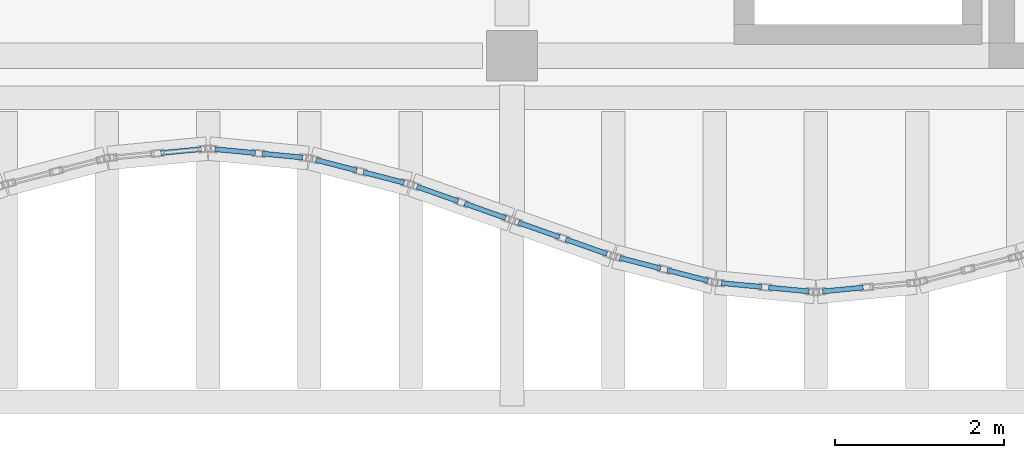
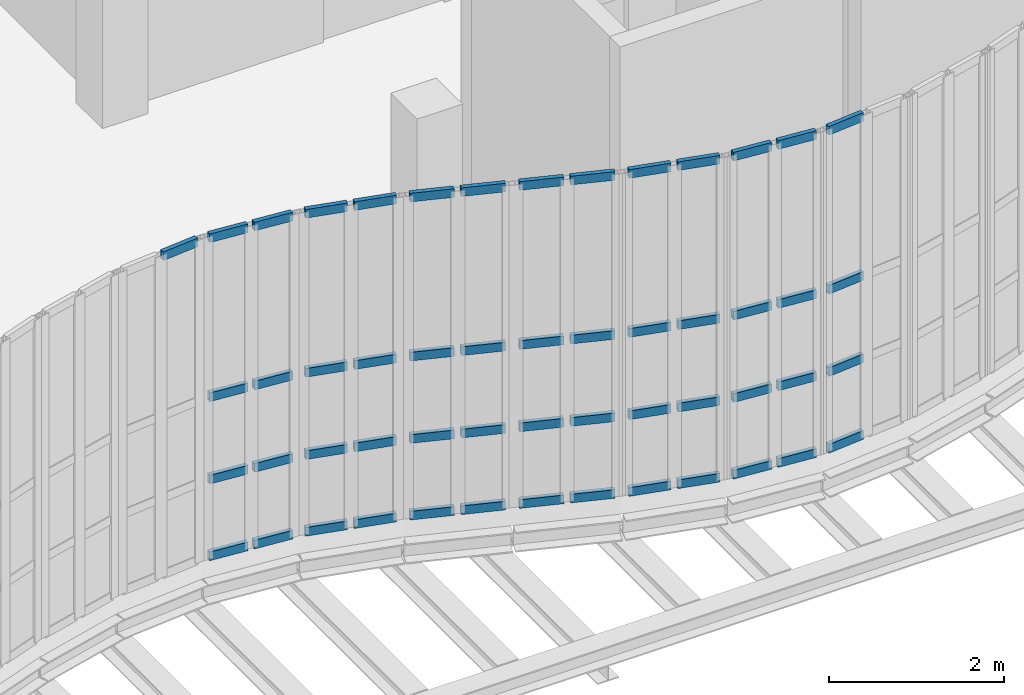
# One storey, part 60 of 105: 53 members, 8 elements without a shape of their own.
"""IFC4 building model written with IfcOpenShell, lengths in metres."""

import ifcopenshell
import ifcopenshell.guid

model = None  # the IFC model being written
_history = None  # IfcOwnerHistory: only IFC2X3 demands one
_inside = {}  # id of a spatial element -> (the spatial element, [elements in it])
_under = {}  # id of a project, library or spatial element -> (it, [spatial elements below it])
_declared = {}  # id of a project -> (the project, [libraries it declares])
_typed = {}  # id of a type object -> (the type object, [elements of that type])
_made_of = {}  # id of a material, layer set ... -> (it, [elements and type objects made of it])


def new_model(schema):
    """Start an empty IFC model of exactly this schema.

    Asked for "IFC4X3", IfcOpenShell would pick the latest addendum, in which some entities
    have other attributes; the version numbers below select the first issue.
    IFC2X3 requires an IfcOwnerHistory on every rooted entity: one is made here for all.
    """
    global model, _history
    if schema == "IFC4X3":
        model = ifcopenshell.file(schema_version=(4, 3, 0, 0))
    else:
        model = ifcopenshell.file(schema=schema)
    _inside.clear()
    _under.clear()
    _declared.clear()
    _typed.clear()
    _made_of.clear()
    _history = None
    if model.schema == "IFC2X3":
        org = make("IfcOrganization", Name="unknown")
        user = make(
            "IfcPersonAndOrganization",
            ThePerson=make("IfcPerson", FamilyName="unknown"),
            TheOrganization=org,
        )
        app = make(
            "IfcApplication",
            ApplicationDeveloper=org,
            Version="unknown",
            ApplicationFullName="unknown",
            ApplicationIdentifier="unknown",
        )
        _history = make(
            "IfcOwnerHistory",
            OwningUser=user,
            OwningApplication=app,
            ChangeAction="ADDED",
            CreationDate=0,
        )
    return model


def make(cls, **values):
    """One entity of the class cls with the attributes given. An attribute that is None is left unset."""
    return model.create_entity(
        cls, **{name: value for name, value in values.items() if value is not None}
    )


def rooted(cls, **values):
    """An entity with a GlobalId (a new one), such as an element, a storey or a relation."""
    return make(cls, GlobalId=ifcopenshell.guid.new(), OwnerHistory=_history, **values)


def si_unit(unit_type, name, prefix=None):
    """IfcSIUnit, for example si_unit("LENGTHUNIT", "METRE", prefix="MILLI")."""
    return make("IfcSIUnit", UnitType=unit_type, Prefix=prefix, Name=name)


def assignment(units):
    """IfcUnitAssignment: the units of a project."""
    return None if units is None else make("IfcUnitAssignment", Units=units)


def point(xyz):
    """IfcCartesianPoint."""
    return None if xyz is None else make("IfcCartesianPoint", Coordinates=xyz)


def direction(xyz):
    """IfcDirection."""
    return None if xyz is None else make("IfcDirection", DirectionRatios=xyz)


def frame(location, z_axis=None, x_axis=None):
    """IfcAxis2Placement3D, a coordinate frame: its origin and axes. An axis left out is left unset."""
    return make(
        "IfcAxis2Placement3D",
        Location=point(location),
        Axis=direction(z_axis),
        RefDirection=direction(x_axis),
    )


def frame_2d(location, x_axis=None):
    """IfcAxis2Placement2D, a coordinate frame in the plane: its origin and x axis."""
    return make(
        "IfcAxis2Placement2D", Location=point(location), RefDirection=direction(x_axis)
    )


def origin():
    """The frame at (0, 0, 0) with its axes left unset."""
    return frame((0.0, 0.0, 0.0))


def origin_2d():
    """The frame at (0, 0) in the plane with its x axis left unset."""
    return frame_2d((0.0, 0.0))


def place(relative_to, where):
    """IfcLocalPlacement: puts the frame where relative to a parent placement (None: the world)."""
    return make(
        "IfcLocalPlacement", PlacementRelTo=relative_to, RelativePlacement=where
    )


def context(
    kind, dimensions, precision=None, world=None, true_north=None, identifier=None
):
    """IfcGeometricRepresentationContext, for example the 3D "Model" context."""
    return make(
        "IfcGeometricRepresentationContext",
        ContextIdentifier=identifier,
        ContextType=kind,
        CoordinateSpaceDimension=dimensions,
        Precision=precision,
        WorldCoordinateSystem=world,
        TrueNorth=true_north,
    )


def subcontext(parent, identifier, kind, view, scale=None):
    """IfcGeometricRepresentationSubContext, for example "Body" below "Model"."""
    return make(
        "IfcGeometricRepresentationSubContext",
        ContextIdentifier=identifier,
        ContextType=kind,
        ParentContext=parent,
        TargetScale=scale,
        TargetView=view,
    )


def project(units=None, contexts=None):
    """IfcProject with its units and contexts."""
    return rooted(
        "IfcProject",
        Name="project",
        RepresentationContexts=contexts,
        UnitsInContext=assignment(units),
    )


def spatial(cls, under=None, at=None, **own):
    """A site, building, storey or space (cls), placed at a placement, below another one or the project."""
    s = rooted(cls, ObjectPlacement=at, **own)
    if under is not None:
        _under.setdefault(under.id(), (under, []))[1].append(s)
    return s


def profile(cls, at=None, kind="AREA", **sizes):
    """A parametric profile (cls). Its sizes go by their IFC names, for example OverallWidth=200.0."""
    return make(cls, ProfileType=kind, Position=at, **sizes)


def hollow_rectangle(**sizes):
    """IfcRectangleHollowProfileDef."""
    return profile("IfcRectangleHollowProfileDef", **sizes)


def extrude(swept, where, along, depth):
    """IfcExtrudedAreaSolid: the profile swept, set in the frame where, extruded along a direction by depth."""
    return make(
        "IfcExtrudedAreaSolid",
        SweptArea=swept,
        Position=where,
        ExtrudedDirection=direction(along),
        Depth=depth,
    )


def shape(context_of_items, identifier, shape_type, items):
    """IfcShapeRepresentation: the items that make up one representation, for example the "Body"."""
    return make(
        "IfcShapeRepresentation",
        ContextOfItems=context_of_items,
        RepresentationIdentifier=identifier,
        RepresentationType=shape_type,
        Items=items,
    )


def material(Name=None, Category=None):
    """IfcMaterial."""
    return make("IfcMaterial", Name=Name, Category=Category)


def layer(
    of_material, thickness, ventilated=None, Name=None, Category=None, Priority=None
):
    """IfcMaterialLayer: one layer of a wall or slab, of a material (None: an air gap)."""
    return make(
        "IfcMaterialLayer",
        Material=of_material,
        LayerThickness=thickness,
        IsVentilated=ventilated,
        Name=Name,
        Category=Category,
        Priority=Priority,
    )


def layer_set(layers, Name=None):
    """IfcMaterialLayerSet."""
    return make("IfcMaterialLayerSet", MaterialLayers=layers, LayerSetName=Name)


def material_profile(
    of_material, cross_section, Name=None, Category=None, Priority=None
):
    """IfcMaterialProfile: a cross section and its material."""
    return make(
        "IfcMaterialProfile",
        Name=Name,
        Material=of_material,
        Profile=cross_section,
        Priority=Priority,
        Category=Category,
    )


def profile_set(profiles, Name=None, composite=None):
    """IfcMaterialProfileSet."""
    return make(
        "IfcMaterialProfileSet",
        Name=Name,
        MaterialProfiles=profiles,
        CompositeProfile=composite,
    )


def made_of(thing, what):
    """Note that an element or type object is made of a material, layer set ...; save() writes the relation."""
    if what is not None:
        _made_of.setdefault(what.id(), (what, []))[1].append(thing)
    return thing


def type_object(cls, material=None, **own):
    """A type object (cls), such as IfcWallType, which elements share."""
    return made_of(rooted(cls, **own), material)


def element(
    cls,
    number,
    at=None,
    inside=None,
    cuts=None,
    type_object=None,
    material=None,
    context=None,
    identifier="Body",
    shape_type=None,
    held_by="IfcProductDefinitionShape",
    body=None,
    shapes=None,
    **own,
):
    """One element of the class cls, such as IfcWall. Its Tag is "e" and its number.

    at: its placement. inside: the storey or other place that contains it. cuts: it is an
    opening in that element (IfcRelVoidsElement). A single representation is given by context,
    identifier, shape_type and body (its items); several are given by shapes. held_by: the class
    of the entity that holds the representations. save() writes the other relations.
    """
    e = rooted(cls, Tag="e%d" % number, ObjectPlacement=at, **own)
    if body is not None:
        shapes = [shape(context, identifier, shape_type, body)]
    if shapes is not None:
        e.Representation = make(held_by, Representations=shapes)
    if inside is not None:
        _inside.setdefault(inside.id(), (inside, []))[1].append(e)
    if cuts is not None:
        rooted(
            "IfcRelVoidsElement", RelatingBuildingElement=cuts, RelatedOpeningElement=e
        )
    if type_object is not None:
        _typed.setdefault(type_object.id(), (type_object, []))[1].append(e)
    return made_of(e, material)


def aggregate(whole, parts):
    """IfcRelAggregates: a whole, such as a stair, and the parts it consists of."""
    return rooted("IfcRelAggregates", RelatingObject=whole, RelatedObjects=parts)


def save(model, path):
    """Write the relations noted so far, then the file.

    IfcRelAggregates (storeys below a building ...), IfcRelContainedInSpatialStructure (elements
    in a storey), IfcRelDefinesByType, IfcRelAssociatesMaterial and IfcRelDeclares: one each for
    every whole, place, type object, material and project.
    """
    for whole, parts in _under.values():
        aggregate(whole, parts)
    for where, things in _inside.values():
        rooted(
            "IfcRelContainedInSpatialStructure",
            RelatedElements=things,
            RelatingStructure=where,
        )
    for kind, things in _typed.values():
        rooted("IfcRelDefinesByType", RelatedObjects=things, RelatingType=kind)
    for what, things in _made_of.values():
        rooted("IfcRelAssociatesMaterial", RelatedObjects=things, RelatingMaterial=what)
    for by, libraries in _declared.values():
        rooted("IfcRelDeclares", RelatingContext=by, RelatedDefinitions=libraries)
    model.write(path)


model = new_model("IFC4")

# Units and contexts
model_context = context("Model", 3, precision=1e-05, world=origin(), true_north=direction((0.0, 1.0)))
body_context = subcontext(model_context, "Body", "Model", "MODEL_VIEW")
ifc_project = project(units=[si_unit("LENGTHUNIT", "METRE"), si_unit("AREAUNIT", "SQUARE_METRE"), si_unit("VOLUMEUNIT", "CUBIC_METRE"), si_unit("PLANEANGLEUNIT", "RADIAN"), si_unit("MASSUNIT", "GRAM", prefix="KILO"), si_unit("THERMODYNAMICTEMPERATUREUNIT", "KELVIN"), si_unit("POWERUNIT", "WATT")], contexts=[model_context])

# Site, building, storey
site_placement = place(None, origin())
site = spatial("IfcSite", under=ifc_project, at=site_placement, CompositionType="ELEMENT")
building_placement = place(site_placement, origin())
building = spatial("IfcBuilding", under=site, at=building_placement, Name="Kaldorven Railside Theatre", CompositionType="ELEMENT")
storey_placement = place(building_placement, frame((0.0, 0.0, 9.89990234375)))
storey = spatial("IfcBuildingStorey", under=building, at=storey_placement, Name="L02", CompositionType="ELEMENT", Elevation=9.89990234375)

# Curtain wall, member
ifc_material_1 = material(Name="Low-E laminated solar-control glass", Category="glass")
ifc_layer_1 = layer(ifc_material_1, 0.159912109375, Name="Low-E laminated solar-control glass")
ifc_layer_set_1 = layer_set([ifc_layer_1], Name="Low-E laminated solar-control glass")
curtain_wall_type_1 = type_object("IfcCurtainWallType", Name="CWT-03", PredefinedType="USERDEFINED", material=ifc_layer_set_1)
curtain_wall_1_placement = place(storey_placement, origin())
curtain_wall_1 = element("IfcCurtainWall", 1, at=curtain_wall_1_placement, inside=storey, type_object=curtain_wall_type_1, Name="Sinusoidal Fluted Curtain Wall CW-L02-S51", ObjectType="FLUTED GLAZING", PredefinedType="USERDEFINED")
ifc_material_2 = material(Name="Anodised bronze aluminium", Category="aluminium")
ifc_material_profile = material_profile(ifc_material_2, hollow_rectangle(XDim=0.06005859375, YDim=0.1201171875, WallThickness=0.0048828125, at=origin_2d()), Name="RHS 120x60x5")
ifc_profile_set = profile_set([ifc_material_profile], Name="Anodised bronze aluminium")
member_type = type_object("IfcMemberType", Name="CWT-120", PredefinedType="USERDEFINED", material=ifc_profile_set)
member_1_placement = place(storey_placement, frame((97.43994140625, 18.046875, 4.47021484375), z_axis=(0.995515910823, 0.094594245591, 0.0), x_axis=(-0.094594245591, 0.995515910823, 0.0)))
member_1 = element("IfcMember", 2, at=member_1_placement, type_object=member_type, Name="CW-L02-S51 transom 2.4", ObjectType="TRANSOM", PredefinedType="USERDEFINED", context=body_context, shape_type="SweptSolid", body=[
    extrude(hollow_rectangle(XDim=0.06005859375, YDim=0.1201171875, WallThickness=0.0048828125, at=origin_2d()), origin(), (0.0, 0.0, 1.0), 0.482666015625),
])
aggregate(curtain_wall_1, [member_1])

# Curtain wall, members
curtain_wall_2_placement = place(storey_placement, origin())
curtain_wall_2 = element("IfcCurtainWall", 3, at=curtain_wall_2_placement, inside=storey, type_object=curtain_wall_type_1, Name="Sinusoidal Fluted Curtain Wall CW-L02-S52", ObjectType="FLUTED GLAZING", PredefinedType="USERDEFINED")
member_2_placement = place(storey_placement, frame((98.07958984375, 18.092529296875, 0.030029296875), z_axis=(0.995515910823, -0.094594245591, 0.0), x_axis=(0.094594245591, 0.995515910823, 0.0)))
member_2 = element("IfcMember", 4, at=member_2_placement, type_object=member_type, Name="CW-L02-S52 transom 1.1", ObjectType="TRANSOM", PredefinedType="USERDEFINED", context=body_context, shape_type="SweptSolid", body=[
    extrude(hollow_rectangle(XDim=0.06005859375, YDim=0.1201171875, WallThickness=0.0048828125, at=origin_2d()), origin(), (0.0, 0.0, 1.0), 0.482666015625),
])
member_3_placement = place(storey_placement, frame((98.07958984375, 18.092529296875, 1.10009765625), z_axis=(0.995515910823, -0.094594245591, 0.0), x_axis=(0.094594245591, 0.995515910823, 0.0)))
member_3 = element("IfcMember", 5, at=member_3_placement, type_object=member_type, Name="CW-L02-S52 transom 1.2", ObjectType="TRANSOM", PredefinedType="USERDEFINED", context=body_context, shape_type="SweptSolid", body=[
    extrude(hollow_rectangle(XDim=0.06005859375, YDim=0.1201171875, WallThickness=0.0048828125, at=origin_2d()), origin(), (0.0, 0.0, 1.0), 0.482666015625),
])
member_4_placement = place(storey_placement, frame((98.07958984375, 18.092529296875, 2.25), z_axis=(0.995515910823, -0.094594245591, 0.0), x_axis=(0.094594245591, 0.995515910823, 0.0)))
member_4 = element("IfcMember", 6, at=member_4_placement, type_object=member_type, Name="CW-L02-S52 transom 1.3", ObjectType="TRANSOM", PredefinedType="USERDEFINED", context=body_context, shape_type="SweptSolid", body=[
    extrude(hollow_rectangle(XDim=0.06005859375, YDim=0.1201171875, WallThickness=0.0048828125, at=origin_2d()), origin(), (0.0, 0.0, 1.0), 0.482666015625),
])
member_5_placement = place(storey_placement, frame((98.07958984375, 18.092529296875, 4.47021484375), z_axis=(0.995515910823, -0.094594245591, 0.0), x_axis=(0.094594245591, 0.995515910823, 0.0)))
member_5 = element("IfcMember", 7, at=member_5_placement, type_object=member_type, Name="CW-L02-S52 transom 1.4", ObjectType="TRANSOM", PredefinedType="USERDEFINED", context=body_context, shape_type="SweptSolid", body=[
    extrude(hollow_rectangle(XDim=0.06005859375, YDim=0.1201171875, WallThickness=0.0048828125, at=origin_2d()), origin(), (0.0, 0.0, 1.0), 0.482666015625),
])
member_6_placement = place(storey_placement, frame((98.639892578125, 18.039306640625, 0.030029296875), z_axis=(0.995515910823, -0.094594245591, 0.0), x_axis=(0.094594245591, 0.995515910823, 0.0)))
member_6 = element("IfcMember", 8, at=member_6_placement, type_object=member_type, Name="CW-L02-S52 transom 2.1", ObjectType="TRANSOM", PredefinedType="USERDEFINED", context=body_context, shape_type="SweptSolid", body=[
    extrude(hollow_rectangle(XDim=0.06005859375, YDim=0.1201171875, WallThickness=0.0048828125, at=origin_2d()), origin(), (0.0, 0.0, 1.0), 0.482666015625),
])
member_7_placement = place(storey_placement, frame((98.639892578125, 18.039306640625, 1.10009765625), z_axis=(0.995515910823, -0.094594245591, 0.0), x_axis=(0.094594245591, 0.995515910823, 0.0)))
member_7 = element("IfcMember", 9, at=member_7_placement, type_object=member_type, Name="CW-L02-S52 transom 2.2", ObjectType="TRANSOM", PredefinedType="USERDEFINED", context=body_context, shape_type="SweptSolid", body=[
    extrude(hollow_rectangle(XDim=0.06005859375, YDim=0.1201171875, WallThickness=0.0048828125, at=origin_2d()), origin(), (0.0, 0.0, 1.0), 0.482666015625),
])
member_8_placement = place(storey_placement, frame((98.639892578125, 18.039306640625, 2.25), z_axis=(0.995515910823, -0.094594245591, 0.0), x_axis=(0.094594245591, 0.995515910823, 0.0)))
member_8 = element("IfcMember", 10, at=member_8_placement, type_object=member_type, Name="CW-L02-S52 transom 2.3", ObjectType="TRANSOM", PredefinedType="USERDEFINED", context=body_context, shape_type="SweptSolid", body=[
    extrude(hollow_rectangle(XDim=0.06005859375, YDim=0.1201171875, WallThickness=0.0048828125, at=origin_2d()), origin(), (0.0, 0.0, 1.0), 0.482666015625),
])
member_9_placement = place(storey_placement, frame((98.639892578125, 18.039306640625, 4.47021484375), z_axis=(0.995515910823, -0.094594245591, 0.0), x_axis=(0.094594245591, 0.995515910823, 0.0)))
member_9 = element("IfcMember", 11, at=member_9_placement, type_object=member_type, Name="CW-L02-S52 transom 2.4", ObjectType="TRANSOM", PredefinedType="USERDEFINED", context=body_context, shape_type="SweptSolid", body=[
    extrude(hollow_rectangle(XDim=0.06005859375, YDim=0.1201171875, WallThickness=0.0048828125, at=origin_2d()), origin(), (0.0, 0.0, 1.0), 0.482666015625),
])
aggregate(curtain_wall_2, [member_2, member_3, member_4, member_5, member_6, member_7, member_8, member_9])

ifc_layer_2 = layer(ifc_material_1, 0.159912109375, Name="Low-E laminated solar-control glass")
ifc_layer_set_2 = layer_set([ifc_layer_2], Name="Low-E laminated solar-control glass")
curtain_wall_type_2 = type_object("IfcCurtainWallType", Name="CWT-02", PredefinedType="USERDEFINED", material=ifc_layer_set_2)
curtain_wall_3_placement = place(storey_placement, origin())
curtain_wall_3 = element("IfcCurtainWall", 12, at=curtain_wall_3_placement, inside=storey, type_object=curtain_wall_type_2, Name="Sinusoidal Fluted Curtain Wall CW-L02-S53", ObjectType="FLUTED GLAZING", PredefinedType="USERDEFINED")
member_10_placement = place(storey_placement, frame((99.27734375, 17.966064453125, 0.030029296875), z_axis=(0.967979318949, -0.251029954561, 0.0), x_axis=(0.251029954561, 0.967979318949, 0.0)))
member_10 = element("IfcMember", 13, at=member_10_placement, type_object=member_type, Name="CW-L02-S53 transom 1.1", ObjectType="TRANSOM", PredefinedType="USERDEFINED", context=body_context, shape_type="SweptSolid", body=[
    extrude(hollow_rectangle(XDim=0.06005859375, YDim=0.1201171875, WallThickness=0.0048828125, at=origin_2d()), origin(), (0.0, 0.0, 1.0), 0.5),
])
member_11_placement = place(storey_placement, frame((99.27734375, 17.966064453125, 1.10009765625), z_axis=(0.967979318949, -0.251029954561, 0.0), x_axis=(0.251029954561, 0.967979318949, 0.0)))
member_11 = element("IfcMember", 14, at=member_11_placement, type_object=member_type, Name="CW-L02-S53 transom 1.2", ObjectType="TRANSOM", PredefinedType="USERDEFINED", context=body_context, shape_type="SweptSolid", body=[
    extrude(hollow_rectangle(XDim=0.06005859375, YDim=0.1201171875, WallThickness=0.0048828125, at=origin_2d()), origin(), (0.0, 0.0, 1.0), 0.5),
])
member_12_placement = place(storey_placement, frame((99.27734375, 17.966064453125, 2.25), z_axis=(0.967979318949, -0.251029954561, 0.0), x_axis=(0.251029954561, 0.967979318949, 0.0)))
member_12 = element("IfcMember", 15, at=member_12_placement, type_object=member_type, Name="CW-L02-S53 transom 1.3", ObjectType="TRANSOM", PredefinedType="USERDEFINED", context=body_context, shape_type="SweptSolid", body=[
    extrude(hollow_rectangle(XDim=0.06005859375, YDim=0.1201171875, WallThickness=0.0048828125, at=origin_2d()), origin(), (0.0, 0.0, 1.0), 0.5),
])
member_13_placement = place(storey_placement, frame((99.27734375, 17.966064453125, 4.47021484375), z_axis=(0.967979318949, -0.251029954561, 0.0), x_axis=(0.251029954561, 0.967979318949, 0.0)))
member_13 = element("IfcMember", 16, at=member_13_placement, type_object=member_type, Name="CW-L02-S53 transom 1.4", ObjectType="TRANSOM", PredefinedType="USERDEFINED", context=body_context, shape_type="SweptSolid", body=[
    extrude(hollow_rectangle(XDim=0.06005859375, YDim=0.1201171875, WallThickness=0.0048828125, at=origin_2d()), origin(), (0.0, 0.0, 1.0), 0.5),
])
member_14_placement = place(storey_placement, frame((99.838623046875, 17.820556640625, 0.030029296875), z_axis=(0.967979318949, -0.251029954561, 0.0), x_axis=(0.251029954561, 0.967979318949, 0.0)))
member_14 = element("IfcMember", 17, at=member_14_placement, type_object=member_type, Name="CW-L02-S53 transom 2.1", ObjectType="TRANSOM", PredefinedType="USERDEFINED", context=body_context, shape_type="SweptSolid", body=[
    extrude(hollow_rectangle(XDim=0.06005859375, YDim=0.1201171875, WallThickness=0.0048828125, at=origin_2d()), origin(), (0.0, 0.0, 1.0), 0.5),
])
member_15_placement = place(storey_placement, frame((99.838623046875, 17.820556640625, 1.10009765625), z_axis=(0.967979318949, -0.251029954561, 0.0), x_axis=(0.251029954561, 0.967979318949, 0.0)))
member_15 = element("IfcMember", 18, at=member_15_placement, type_object=member_type, Name="CW-L02-S53 transom 2.2", ObjectType="TRANSOM", PredefinedType="USERDEFINED", context=body_context, shape_type="SweptSolid", body=[
    extrude(hollow_rectangle(XDim=0.06005859375, YDim=0.1201171875, WallThickness=0.0048828125, at=origin_2d()), origin(), (0.0, 0.0, 1.0), 0.5),
])
member_16_placement = place(storey_placement, frame((99.838623046875, 17.820556640625, 2.25), z_axis=(0.967979318949, -0.251029954561, 0.0), x_axis=(0.251029954561, 0.967979318949, 0.0)))
member_16 = element("IfcMember", 19, at=member_16_placement, type_object=member_type, Name="CW-L02-S53 transom 2.3", ObjectType="TRANSOM", PredefinedType="USERDEFINED", context=body_context, shape_type="SweptSolid", body=[
    extrude(hollow_rectangle(XDim=0.06005859375, YDim=0.1201171875, WallThickness=0.0048828125, at=origin_2d()), origin(), (0.0, 0.0, 1.0), 0.5),
])
member_17_placement = place(storey_placement, frame((99.838623046875, 17.820556640625, 4.47021484375), z_axis=(0.967979318949, -0.251029954561, 0.0), x_axis=(0.251029954561, 0.967979318949, 0.0)))
member_17 = element("IfcMember", 20, at=member_17_placement, type_object=member_type, Name="CW-L02-S53 transom 2.4", ObjectType="TRANSOM", PredefinedType="USERDEFINED", context=body_context, shape_type="SweptSolid", body=[
    extrude(hollow_rectangle(XDim=0.06005859375, YDim=0.1201171875, WallThickness=0.0048828125, at=origin_2d()), origin(), (0.0, 0.0, 1.0), 0.5),
])
aggregate(curtain_wall_3, [member_10, member_11, member_12, member_13, member_14, member_15, member_16, member_17])

ifc_layer_3 = layer(ifc_material_1, 0.159912109375, Name="Low-E laminated solar-control glass")
ifc_layer_set_3 = layer_set([ifc_layer_3], Name="Low-E laminated solar-control glass")
curtain_wall_type_3 = type_object("IfcCurtainWallType", Name="CWT-01", PredefinedType="USERDEFINED", material=ifc_layer_set_3)
curtain_wall_4_placement = place(storey_placement, origin())
curtain_wall_4 = element("IfcCurtainWall", 21, at=curtain_wall_4_placement, inside=storey, type_object=curtain_wall_type_3, Name="Sinusoidal Fluted Curtain Wall CW-L02-S54", ObjectType="FLUTED GLAZING", PredefinedType="USERDEFINED")
member_18_placement = place(storey_placement, frame((100.475341796875, 17.648193359375, 0.030029296875), z_axis=(0.942710841688, -0.333610954502, 0.0), x_axis=(0.333610954502, 0.942710841688, 0.0)))
member_18 = element("IfcMember", 22, at=member_18_placement, type_object=member_type, Name="CW-L02-S54 transom 1.1", ObjectType="TRANSOM", PredefinedType="USERDEFINED", context=body_context, shape_type="SweptSolid", body=[
    extrude(hollow_rectangle(XDim=0.06005859375, YDim=0.1201171875, WallThickness=0.0048828125, at=origin_2d()), origin(), (0.0, 0.0, 1.0), 0.5166015625),
])
member_19_placement = place(storey_placement, frame((100.475341796875, 17.648193359375, 1.10009765625), z_axis=(0.942710841688, -0.333610954502, 0.0), x_axis=(0.333610954502, 0.942710841688, 0.0)))
member_19 = element("IfcMember", 23, at=member_19_placement, type_object=member_type, Name="CW-L02-S54 transom 1.2", ObjectType="TRANSOM", PredefinedType="USERDEFINED", context=body_context, shape_type="SweptSolid", body=[
    extrude(hollow_rectangle(XDim=0.06005859375, YDim=0.1201171875, WallThickness=0.0048828125, at=origin_2d()), origin(), (0.0, 0.0, 1.0), 0.5166015625),
])
member_20_placement = place(storey_placement, frame((100.475341796875, 17.648193359375, 2.25), z_axis=(0.942710841688, -0.333610954502, 0.0), x_axis=(0.333610954502, 0.942710841688, 0.0)))
member_20 = element("IfcMember", 24, at=member_20_placement, type_object=member_type, Name="CW-L02-S54 transom 1.3", ObjectType="TRANSOM", PredefinedType="USERDEFINED", context=body_context, shape_type="SweptSolid", body=[
    extrude(hollow_rectangle(XDim=0.06005859375, YDim=0.1201171875, WallThickness=0.0048828125, at=origin_2d()), origin(), (0.0, 0.0, 1.0), 0.5166015625),
])
member_21_placement = place(storey_placement, frame((100.475341796875, 17.648193359375, 4.47021484375), z_axis=(0.942710841688, -0.333610954502, 0.0), x_axis=(0.333610954502, 0.942710841688, 0.0)))
member_21 = element("IfcMember", 25, at=member_21_placement, type_object=member_type, Name="CW-L02-S54 transom 1.4", ObjectType="TRANSOM", PredefinedType="USERDEFINED", context=body_context, shape_type="SweptSolid", body=[
    extrude(hollow_rectangle(XDim=0.06005859375, YDim=0.1201171875, WallThickness=0.0048828125, at=origin_2d()), origin(), (0.0, 0.0, 1.0), 0.5166015625),
])
member_22_placement = place(storey_placement, frame((101.03759765625, 17.44921875, 0.030029296875), z_axis=(0.94256215944, -0.334030800363, 0.0), x_axis=(0.334030800363, 0.94256215944, 0.0)))
member_22 = element("IfcMember", 26, at=member_22_placement, type_object=member_type, Name="CW-L02-S54 transom 2.1", ObjectType="TRANSOM", PredefinedType="USERDEFINED", context=body_context, shape_type="SweptSolid", body=[
    extrude(hollow_rectangle(XDim=0.06005859375, YDim=0.1201171875, WallThickness=0.0048828125, at=origin_2d()), origin(), (0.0, 0.0, 1.0), 0.516845703125),
])
member_23_placement = place(storey_placement, frame((101.03759765625, 17.44921875, 1.10009765625), z_axis=(0.94256215944, -0.334030800363, 0.0), x_axis=(0.334030800363, 0.94256215944, 0.0)))
member_23 = element("IfcMember", 27, at=member_23_placement, type_object=member_type, Name="CW-L02-S54 transom 2.2", ObjectType="TRANSOM", PredefinedType="USERDEFINED", context=body_context, shape_type="SweptSolid", body=[
    extrude(hollow_rectangle(XDim=0.06005859375, YDim=0.1201171875, WallThickness=0.0048828125, at=origin_2d()), origin(), (0.0, 0.0, 1.0), 0.516845703125),
])
member_24_placement = place(storey_placement, frame((101.03759765625, 17.44921875, 2.25), z_axis=(0.94256215944, -0.334030800363, 0.0), x_axis=(0.334030800363, 0.94256215944, 0.0)))
member_24 = element("IfcMember", 28, at=member_24_placement, type_object=member_type, Name="CW-L02-S54 transom 2.3", ObjectType="TRANSOM", PredefinedType="USERDEFINED", context=body_context, shape_type="SweptSolid", body=[
    extrude(hollow_rectangle(XDim=0.06005859375, YDim=0.1201171875, WallThickness=0.0048828125, at=origin_2d()), origin(), (0.0, 0.0, 1.0), 0.516845703125),
])
member_25_placement = place(storey_placement, frame((101.03759765625, 17.44921875, 4.47021484375), z_axis=(0.94256215944, -0.334030800363, 0.0), x_axis=(0.334030800363, 0.94256215944, 0.0)))
member_25 = element("IfcMember", 29, at=member_25_placement, type_object=member_type, Name="CW-L02-S54 transom 2.4", ObjectType="TRANSOM", PredefinedType="USERDEFINED", context=body_context, shape_type="SweptSolid", body=[
    extrude(hollow_rectangle(XDim=0.06005859375, YDim=0.1201171875, WallThickness=0.0048828125, at=origin_2d()), origin(), (0.0, 0.0, 1.0), 0.516845703125),
])
aggregate(curtain_wall_4, [member_18, member_19, member_20, member_21, member_22, member_23, member_24, member_25])

curtain_wall_5_placement = place(storey_placement, origin())
curtain_wall_5 = element("IfcCurtainWall", 30, at=curtain_wall_5_placement, inside=storey, type_object=curtain_wall_type_3, Name="Sinusoidal Fluted Curtain Wall CW-L02-S55", ObjectType="FLUTED GLAZING", PredefinedType="USERDEFINED")
member_26_placement = place(storey_placement, frame((101.67529296875, 17.223388671875, 0.030029296875), z_axis=(0.94256215944, -0.334030800363, 0.0), x_axis=(0.334030800363, 0.94256215944, 0.0)))
member_26 = element("IfcMember", 31, at=member_26_placement, type_object=member_type, Name="CW-L02-S55 transom 1.1", ObjectType="TRANSOM", PredefinedType="USERDEFINED", context=body_context, shape_type="SweptSolid", body=[
    extrude(hollow_rectangle(XDim=0.06005859375, YDim=0.1201171875, WallThickness=0.0048828125, at=origin_2d()), origin(), (0.0, 0.0, 1.0), 0.516845703125),
])
member_27_placement = place(storey_placement, frame((101.67529296875, 17.223388671875, 1.10009765625), z_axis=(0.94256215944, -0.334030800363, 0.0), x_axis=(0.334030800363, 0.94256215944, 0.0)))
member_27 = element("IfcMember", 32, at=member_27_placement, type_object=member_type, Name="CW-L02-S55 transom 1.2", ObjectType="TRANSOM", PredefinedType="USERDEFINED", context=body_context, shape_type="SweptSolid", body=[
    extrude(hollow_rectangle(XDim=0.06005859375, YDim=0.1201171875, WallThickness=0.0048828125, at=origin_2d()), origin(), (0.0, 0.0, 1.0), 0.516845703125),
])
member_28_placement = place(storey_placement, frame((101.67529296875, 17.223388671875, 2.25), z_axis=(0.94256215944, -0.334030800363, 0.0), x_axis=(0.334030800363, 0.94256215944, 0.0)))
member_28 = element("IfcMember", 33, at=member_28_placement, type_object=member_type, Name="CW-L02-S55 transom 1.3", ObjectType="TRANSOM", PredefinedType="USERDEFINED", context=body_context, shape_type="SweptSolid", body=[
    extrude(hollow_rectangle(XDim=0.06005859375, YDim=0.1201171875, WallThickness=0.0048828125, at=origin_2d()), origin(), (0.0, 0.0, 1.0), 0.516845703125),
])
member_29_placement = place(storey_placement, frame((101.67529296875, 17.223388671875, 4.47021484375), z_axis=(0.94256215944, -0.334030800363, 0.0), x_axis=(0.334030800363, 0.94256215944, 0.0)))
member_29 = element("IfcMember", 34, at=member_29_placement, type_object=member_type, Name="CW-L02-S55 transom 1.4", ObjectType="TRANSOM", PredefinedType="USERDEFINED", context=body_context, shape_type="SweptSolid", body=[
    extrude(hollow_rectangle(XDim=0.06005859375, YDim=0.1201171875, WallThickness=0.0048828125, at=origin_2d()), origin(), (0.0, 0.0, 1.0), 0.516845703125),
])
member_30_placement = place(storey_placement, frame((102.23779296875, 17.024169921875, 0.030029296875), z_axis=(0.942658214948, -0.333759628763, 0.0), x_axis=(0.333759628763, 0.942658214948, 0.0)))
member_30 = element("IfcMember", 35, at=member_30_placement, type_object=member_type, Name="CW-L02-S55 transom 2.1", ObjectType="TRANSOM", PredefinedType="USERDEFINED", context=body_context, shape_type="SweptSolid", body=[
    extrude(hollow_rectangle(XDim=0.06005859375, YDim=0.1201171875, WallThickness=0.0048828125, at=origin_2d()), origin(), (0.0, 0.0, 1.0), 0.516357421875),
])
member_31_placement = place(storey_placement, frame((102.23779296875, 17.024169921875, 1.10009765625), z_axis=(0.942658214948, -0.333759628763, 0.0), x_axis=(0.333759628763, 0.942658214948, 0.0)))
member_31 = element("IfcMember", 36, at=member_31_placement, type_object=member_type, Name="CW-L02-S55 transom 2.2", ObjectType="TRANSOM", PredefinedType="USERDEFINED", context=body_context, shape_type="SweptSolid", body=[
    extrude(hollow_rectangle(XDim=0.06005859375, YDim=0.1201171875, WallThickness=0.0048828125, at=origin_2d()), origin(), (0.0, 0.0, 1.0), 0.516357421875),
])
member_32_placement = place(storey_placement, frame((102.23779296875, 17.024169921875, 2.25), z_axis=(0.942658214948, -0.333759628763, 0.0), x_axis=(0.333759628763, 0.942658214948, 0.0)))
member_32 = element("IfcMember", 37, at=member_32_placement, type_object=member_type, Name="CW-L02-S55 transom 2.3", ObjectType="TRANSOM", PredefinedType="USERDEFINED", context=body_context, shape_type="SweptSolid", body=[
    extrude(hollow_rectangle(XDim=0.06005859375, YDim=0.1201171875, WallThickness=0.0048828125, at=origin_2d()), origin(), (0.0, 0.0, 1.0), 0.516357421875),
])
member_33_placement = place(storey_placement, frame((102.23779296875, 17.024169921875, 4.47021484375), z_axis=(0.942658214948, -0.333759628763, 0.0), x_axis=(0.333759628763, 0.942658214948, 0.0)))
member_33 = element("IfcMember", 38, at=member_33_placement, type_object=member_type, Name="CW-L02-S55 transom 2.4", ObjectType="TRANSOM", PredefinedType="USERDEFINED", context=body_context, shape_type="SweptSolid", body=[
    extrude(hollow_rectangle(XDim=0.06005859375, YDim=0.1201171875, WallThickness=0.0048828125, at=origin_2d()), origin(), (0.0, 0.0, 1.0), 0.516357421875),
])
aggregate(curtain_wall_5, [member_26, member_27, member_28, member_29, member_30, member_31, member_32, member_33])

curtain_wall_6_placement = place(storey_placement, origin())
curtain_wall_6 = element("IfcCurtainWall", 39, at=curtain_wall_6_placement, inside=storey, type_object=curtain_wall_type_2, Name="Sinusoidal Fluted Curtain Wall CW-L02-S56", ObjectType="FLUTED GLAZING", PredefinedType="USERDEFINED")
member_34_placement = place(storey_placement, frame((102.87744140625, 16.804931640625, 0.030029296875), z_axis=(0.967979318949, -0.251029954561, 0.0), x_axis=(0.251029954561, 0.967979318949, 0.0)))
member_34 = element("IfcMember", 40, at=member_34_placement, type_object=member_type, Name="CW-L02-S56 transom 1.1", ObjectType="TRANSOM", PredefinedType="USERDEFINED", context=body_context, shape_type="SweptSolid", body=[
    extrude(hollow_rectangle(XDim=0.06005859375, YDim=0.1201171875, WallThickness=0.0048828125, at=origin_2d()), origin(), (0.0, 0.0, 1.0), 0.5),
])
member_35_placement = place(storey_placement, frame((102.87744140625, 16.804931640625, 1.10009765625), z_axis=(0.967979318949, -0.251029954561, 0.0), x_axis=(0.251029954561, 0.967979318949, 0.0)))
member_35 = element("IfcMember", 41, at=member_35_placement, type_object=member_type, Name="CW-L02-S56 transom 1.2", ObjectType="TRANSOM", PredefinedType="USERDEFINED", context=body_context, shape_type="SweptSolid", body=[
    extrude(hollow_rectangle(XDim=0.06005859375, YDim=0.1201171875, WallThickness=0.0048828125, at=origin_2d()), origin(), (0.0, 0.0, 1.0), 0.5),
])
member_36_placement = place(storey_placement, frame((102.87744140625, 16.804931640625, 2.25), z_axis=(0.967979318949, -0.251029954561, 0.0), x_axis=(0.251029954561, 0.967979318949, 0.0)))
member_36 = element("IfcMember", 42, at=member_36_placement, type_object=member_type, Name="CW-L02-S56 transom 1.3", ObjectType="TRANSOM", PredefinedType="USERDEFINED", context=body_context, shape_type="SweptSolid", body=[
    extrude(hollow_rectangle(XDim=0.06005859375, YDim=0.1201171875, WallThickness=0.0048828125, at=origin_2d()), origin(), (0.0, 0.0, 1.0), 0.5),
])
member_37_placement = place(storey_placement, frame((102.87744140625, 16.804931640625, 4.47021484375), z_axis=(0.967979318949, -0.251029954561, 0.0), x_axis=(0.251029954561, 0.967979318949, 0.0)))
member_37 = element("IfcMember", 43, at=member_37_placement, type_object=member_type, Name="CW-L02-S56 transom 1.4", ObjectType="TRANSOM", PredefinedType="USERDEFINED", context=body_context, shape_type="SweptSolid", body=[
    extrude(hollow_rectangle(XDim=0.06005859375, YDim=0.1201171875, WallThickness=0.0048828125, at=origin_2d()), origin(), (0.0, 0.0, 1.0), 0.5),
])
member_38_placement = place(storey_placement, frame((103.438720703125, 16.659423828125, 0.030029296875), z_axis=(0.967979318949, -0.251029954561, 0.0), x_axis=(0.251029954561, 0.967979318949, 0.0)))
member_38 = element("IfcMember", 44, at=member_38_placement, type_object=member_type, Name="CW-L02-S56 transom 2.1", ObjectType="TRANSOM", PredefinedType="USERDEFINED", context=body_context, shape_type="SweptSolid", body=[
    extrude(hollow_rectangle(XDim=0.06005859375, YDim=0.1201171875, WallThickness=0.0048828125, at=origin_2d()), origin(), (0.0, 0.0, 1.0), 0.5),
])
member_39_placement = place(storey_placement, frame((103.438720703125, 16.659423828125, 1.10009765625), z_axis=(0.967979318949, -0.251029954561, 0.0), x_axis=(0.251029954561, 0.967979318949, 0.0)))
member_39 = element("IfcMember", 45, at=member_39_placement, type_object=member_type, Name="CW-L02-S56 transom 2.2", ObjectType="TRANSOM", PredefinedType="USERDEFINED", context=body_context, shape_type="SweptSolid", body=[
    extrude(hollow_rectangle(XDim=0.06005859375, YDim=0.1201171875, WallThickness=0.0048828125, at=origin_2d()), origin(), (0.0, 0.0, 1.0), 0.5),
])
member_40_placement = place(storey_placement, frame((103.438720703125, 16.659423828125, 2.25), z_axis=(0.967979318949, -0.251029954561, 0.0), x_axis=(0.251029954561, 0.967979318949, 0.0)))
member_40 = element("IfcMember", 46, at=member_40_placement, type_object=member_type, Name="CW-L02-S56 transom 2.3", ObjectType="TRANSOM", PredefinedType="USERDEFINED", context=body_context, shape_type="SweptSolid", body=[
    extrude(hollow_rectangle(XDim=0.06005859375, YDim=0.1201171875, WallThickness=0.0048828125, at=origin_2d()), origin(), (0.0, 0.0, 1.0), 0.5),
])
member_41_placement = place(storey_placement, frame((103.438720703125, 16.659423828125, 4.47021484375), z_axis=(0.967979318949, -0.251029954561, 0.0), x_axis=(0.251029954561, 0.967979318949, 0.0)))
member_41 = element("IfcMember", 47, at=member_41_placement, type_object=member_type, Name="CW-L02-S56 transom 2.4", ObjectType="TRANSOM", PredefinedType="USERDEFINED", context=body_context, shape_type="SweptSolid", body=[
    extrude(hollow_rectangle(XDim=0.06005859375, YDim=0.1201171875, WallThickness=0.0048828125, at=origin_2d()), origin(), (0.0, 0.0, 1.0), 0.5),
])
aggregate(curtain_wall_6, [member_34, member_35, member_36, member_37, member_38, member_39, member_40, member_41])

curtain_wall_7_placement = place(storey_placement, origin())
curtain_wall_7 = element("IfcCurtainWall", 48, at=curtain_wall_7_placement, inside=storey, type_object=curtain_wall_type_1, Name="Sinusoidal Fluted Curtain Wall CW-L02-S57", ObjectType="FLUTED GLAZING", PredefinedType="USERDEFINED")
member_42_placement = place(storey_placement, frame((104.07958984375, 16.50634765625, 0.030029296875), z_axis=(0.995515910823, -0.094594245591, 0.0), x_axis=(0.094594245591, 0.995515910823, 0.0)))
member_42 = element("IfcMember", 49, at=member_42_placement, type_object=member_type, Name="CW-L02-S57 transom 1.1", ObjectType="TRANSOM", PredefinedType="USERDEFINED", context=body_context, shape_type="SweptSolid", body=[
    extrude(hollow_rectangle(XDim=0.06005859375, YDim=0.1201171875, WallThickness=0.0048828125, at=origin_2d()), origin(), (0.0, 0.0, 1.0), 0.482666015625),
])
member_43_placement = place(storey_placement, frame((104.07958984375, 16.50634765625, 1.10009765625), z_axis=(0.995515910823, -0.094594245591, 0.0), x_axis=(0.094594245591, 0.995515910823, 0.0)))
member_43 = element("IfcMember", 50, at=member_43_placement, type_object=member_type, Name="CW-L02-S57 transom 1.2", ObjectType="TRANSOM", PredefinedType="USERDEFINED", context=body_context, shape_type="SweptSolid", body=[
    extrude(hollow_rectangle(XDim=0.06005859375, YDim=0.1201171875, WallThickness=0.0048828125, at=origin_2d()), origin(), (0.0, 0.0, 1.0), 0.482666015625),
])
member_44_placement = place(storey_placement, frame((104.07958984375, 16.50634765625, 2.25), z_axis=(0.995515910823, -0.094594245591, 0.0), x_axis=(0.094594245591, 0.995515910823, 0.0)))
member_44 = element("IfcMember", 51, at=member_44_placement, type_object=member_type, Name="CW-L02-S57 transom 1.3", ObjectType="TRANSOM", PredefinedType="USERDEFINED", context=body_context, shape_type="SweptSolid", body=[
    extrude(hollow_rectangle(XDim=0.06005859375, YDim=0.1201171875, WallThickness=0.0048828125, at=origin_2d()), origin(), (0.0, 0.0, 1.0), 0.482666015625),
])
member_45_placement = place(storey_placement, frame((104.07958984375, 16.50634765625, 4.47021484375), z_axis=(0.995515910823, -0.094594245591, 0.0), x_axis=(0.094594245591, 0.995515910823, 0.0)))
member_45 = element("IfcMember", 52, at=member_45_placement, type_object=member_type, Name="CW-L02-S57 transom 1.4", ObjectType="TRANSOM", PredefinedType="USERDEFINED", context=body_context, shape_type="SweptSolid", body=[
    extrude(hollow_rectangle(XDim=0.06005859375, YDim=0.1201171875, WallThickness=0.0048828125, at=origin_2d()), origin(), (0.0, 0.0, 1.0), 0.482666015625),
])
member_46_placement = place(storey_placement, frame((104.639892578125, 16.453125, 0.030029296875), z_axis=(0.995515910823, -0.094594245591, 0.0), x_axis=(0.094594245591, 0.995515910823, 0.0)))
member_46 = element("IfcMember", 53, at=member_46_placement, type_object=member_type, Name="CW-L02-S57 transom 2.1", ObjectType="TRANSOM", PredefinedType="USERDEFINED", context=body_context, shape_type="SweptSolid", body=[
    extrude(hollow_rectangle(XDim=0.06005859375, YDim=0.1201171875, WallThickness=0.0048828125, at=origin_2d()), origin(), (0.0, 0.0, 1.0), 0.482666015625),
])
member_47_placement = place(storey_placement, frame((104.639892578125, 16.453125, 1.10009765625), z_axis=(0.995515910823, -0.094594245591, 0.0), x_axis=(0.094594245591, 0.995515910823, 0.0)))
member_47 = element("IfcMember", 54, at=member_47_placement, type_object=member_type, Name="CW-L02-S57 transom 2.2", ObjectType="TRANSOM", PredefinedType="USERDEFINED", context=body_context, shape_type="SweptSolid", body=[
    extrude(hollow_rectangle(XDim=0.06005859375, YDim=0.1201171875, WallThickness=0.0048828125, at=origin_2d()), origin(), (0.0, 0.0, 1.0), 0.482666015625),
])
member_48_placement = place(storey_placement, frame((104.639892578125, 16.453125, 2.25), z_axis=(0.995515910823, -0.094594245591, 0.0), x_axis=(0.094594245591, 0.995515910823, 0.0)))
member_48 = element("IfcMember", 55, at=member_48_placement, type_object=member_type, Name="CW-L02-S57 transom 2.3", ObjectType="TRANSOM", PredefinedType="USERDEFINED", context=body_context, shape_type="SweptSolid", body=[
    extrude(hollow_rectangle(XDim=0.06005859375, YDim=0.1201171875, WallThickness=0.0048828125, at=origin_2d()), origin(), (0.0, 0.0, 1.0), 0.482666015625),
])
member_49_placement = place(storey_placement, frame((104.639892578125, 16.453125, 4.47021484375), z_axis=(0.995515910823, -0.094594245591, 0.0), x_axis=(0.094594245591, 0.995515910823, 0.0)))
member_49 = element("IfcMember", 56, at=member_49_placement, type_object=member_type, Name="CW-L02-S57 transom 2.4", ObjectType="TRANSOM", PredefinedType="USERDEFINED", context=body_context, shape_type="SweptSolid", body=[
    extrude(hollow_rectangle(XDim=0.06005859375, YDim=0.1201171875, WallThickness=0.0048828125, at=origin_2d()), origin(), (0.0, 0.0, 1.0), 0.482666015625),
])
aggregate(curtain_wall_7, [member_42, member_43, member_44, member_45, member_46, member_47, member_48, member_49])

curtain_wall_8_placement = place(storey_placement, origin())
curtain_wall_8 = element("IfcCurtainWall", 57, at=curtain_wall_8_placement, inside=storey, type_object=curtain_wall_type_1, Name="Sinusoidal Fluted Curtain Wall CW-L02-S58", ObjectType="FLUTED GLAZING", PredefinedType="USERDEFINED")
member_50_placement = place(storey_placement, frame((105.279541015625, 16.407470703125, 0.030029296875), z_axis=(0.995520433802, 0.094546633378, 0.0), x_axis=(-0.094546633378, 0.995520433802, 0.0)))
member_50 = element("IfcMember", 58, at=member_50_placement, type_object=member_type, Name="CW-L02-S58 transom 1.1", ObjectType="TRANSOM", PredefinedType="USERDEFINED", context=body_context, shape_type="SweptSolid", body=[
    extrude(hollow_rectangle(XDim=0.06005859375, YDim=0.1201171875, WallThickness=0.0048828125, at=origin_2d()), origin(), (0.0, 0.0, 1.0), 0.48291015625),
])
member_51_placement = place(storey_placement, frame((105.279541015625, 16.407470703125, 1.10009765625), z_axis=(0.995520433802, 0.094546633378, 0.0), x_axis=(-0.094546633378, 0.995520433802, 0.0)))
member_51 = element("IfcMember", 59, at=member_51_placement, type_object=member_type, Name="CW-L02-S58 transom 1.2", ObjectType="TRANSOM", PredefinedType="USERDEFINED", context=body_context, shape_type="SweptSolid", body=[
    extrude(hollow_rectangle(XDim=0.06005859375, YDim=0.1201171875, WallThickness=0.0048828125, at=origin_2d()), origin(), (0.0, 0.0, 1.0), 0.48291015625),
])
member_52_placement = place(storey_placement, frame((105.279541015625, 16.407470703125, 2.25), z_axis=(0.995520433802, 0.094546633378, 0.0), x_axis=(-0.094546633378, 0.995520433802, 0.0)))
member_52 = element("IfcMember", 60, at=member_52_placement, type_object=member_type, Name="CW-L02-S58 transom 1.3", ObjectType="TRANSOM", PredefinedType="USERDEFINED", context=body_context, shape_type="SweptSolid", body=[
    extrude(hollow_rectangle(XDim=0.06005859375, YDim=0.1201171875, WallThickness=0.0048828125, at=origin_2d()), origin(), (0.0, 0.0, 1.0), 0.48291015625),
])
member_53_placement = place(storey_placement, frame((105.279541015625, 16.407470703125, 4.47021484375), z_axis=(0.995520433802, 0.094546633378, 0.0), x_axis=(-0.094546633378, 0.995520433802, 0.0)))
member_53 = element("IfcMember", 61, at=member_53_placement, type_object=member_type, Name="CW-L02-S58 transom 1.4", ObjectType="TRANSOM", PredefinedType="USERDEFINED", context=body_context, shape_type="SweptSolid", body=[
    extrude(hollow_rectangle(XDim=0.06005859375, YDim=0.1201171875, WallThickness=0.0048828125, at=origin_2d()), origin(), (0.0, 0.0, 1.0), 0.48291015625),
])
aggregate(curtain_wall_8, [member_50, member_51, member_52, member_53])

save(model, "model.ifc")
